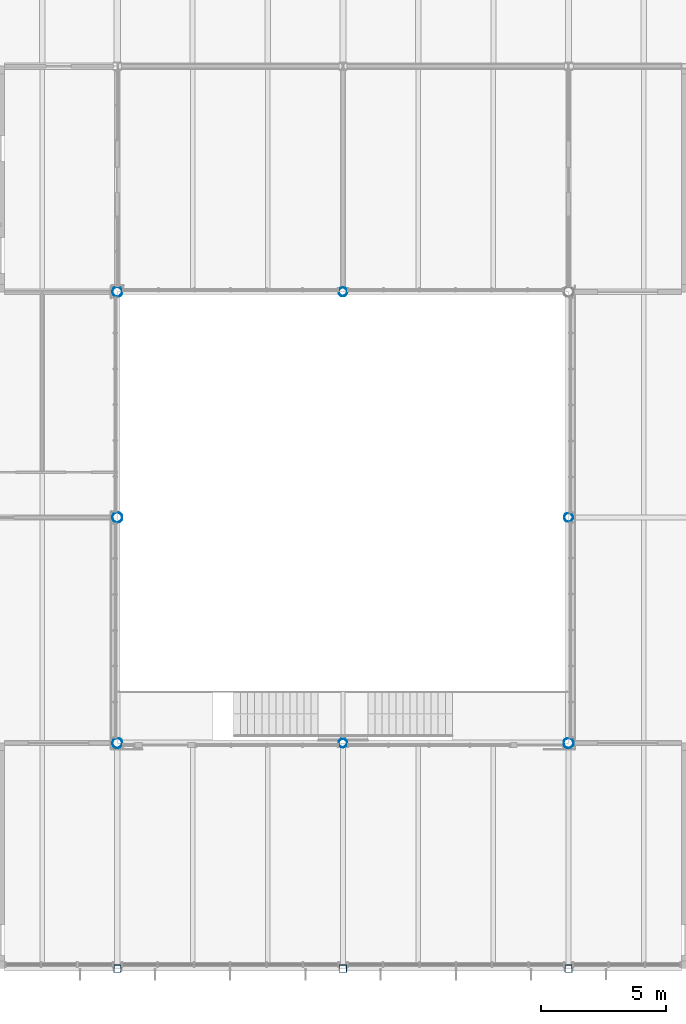
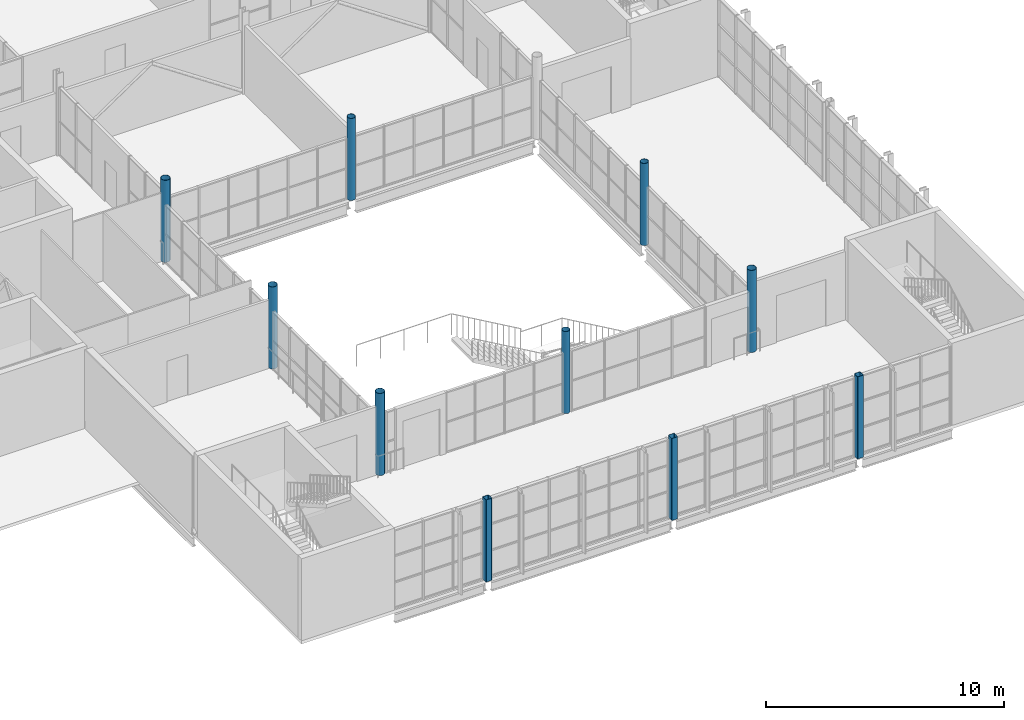
# One storey, part 4 of 57: 10 columns.
"""IFC4 building model written with IfcOpenShell, lengths in metres."""

from ifc_helpers import new_model, si_unit, direction, frame, origin, origin_2d, place, context, subcontext, project, spatial, hollow_rectangle, hollow_circle, extrude, material, material_profile, profile_set, type_object, element, save


model = new_model("IFC4")

# Units and contexts
model_context = context("Model", 3, precision=1e-05, world=origin(), true_north=direction((0.0, 1.0)))
body_context = subcontext(model_context, "Body", "Model", "MODEL_VIEW")
ifc_project = project(units=[si_unit("LENGTHUNIT", "METRE"), si_unit("AREAUNIT", "SQUARE_METRE"), si_unit("VOLUMEUNIT", "CUBIC_METRE"), si_unit("PLANEANGLEUNIT", "RADIAN"), si_unit("MASSUNIT", "GRAM", prefix="KILO")], contexts=[model_context])

# Site, building, storey
site_placement = place(None, origin())
site = spatial("IfcSite", under=ifc_project, at=site_placement, CompositionType="ELEMENT")
building_placement = place(site_placement, origin())
building = spatial("IfcBuilding", under=site, at=building_placement, Name="Halyard Row Museum", CompositionType="ELEMENT")
storey_placement = place(building_placement, frame((0.0, 0.0, 5.0)))
storey = spatial("IfcBuildingStorey", under=building, at=storey_placement, Name="L01", CompositionType="ELEMENT", Elevation=5.0)

# Columns
ifc_material_1 = material(Name="Steel Grade C350L0", Category="steel")
ifc_material_profile_1 = material_profile(ifc_material_1, hollow_rectangle(XDim=0.300048828125, YDim=0.300048828125, WallThickness=0.010009765625, InnerFilletRadius=0.014892578125, OuterFilletRadius=0.02490234375, at=origin_2d()), Name="300x300x10.0SHS")
ifc_profile_set_1 = profile_set([ifc_material_profile_1], Name="Steel Grade C350L0")
column_type_1 = type_object("IfcColumnType", Name="Column 300x300x10.0SHS edge", PredefinedType="COLUMN", material=ifc_profile_set_1)
column_placement = place(storey_placement, frame((90.0, 0.0, 0.0), z_axis=(0.0, 0.0, 1.0), x_axis=(1.0, 0.0, 0.0)))
element("IfcColumn", 1, at=column_placement, inside=storey, type_object=column_type_1, Name="Column 11A L01", PredefinedType="COLUMN", context=body_context, shape_type="SweptSolid", body=[
    extrude(hollow_rectangle(XDim=0.300048828125, YDim=0.300048828125, WallThickness=0.010009765625, InnerFilletRadius=0.014892578125, OuterFilletRadius=0.02490234375, at=origin_2d()), origin(), (0.0, 0.0, 1.0), 4.199951171875),
])
ifc_material_2 = material(Name="Steel Grade C350L0", Category="steel")
ifc_material_profile_2 = material_profile(ifc_material_2, hollow_rectangle(XDim=0.300048828125, YDim=0.300048828125, WallThickness=0.01611328125, InnerFilletRadius=0.02392578125, OuterFilletRadius=0.0400390625, at=origin_2d()), Name="300x300x16.0SHS")
ifc_profile_set_2 = profile_set([ifc_material_profile_2], Name="Steel Grade C350L0")
column_type_2 = type_object("IfcColumnType", Name="Column 300x300x16.0SHS edge", PredefinedType="COLUMN", material=ifc_profile_set_2)
for number, where, z_axis, x_axis, name in (
    (2, (81.0, 0.0, 0.0), (0.0, 0.0, 1.0), (1.0, 0.0, 0.0), "Column 10A L01"),
    (3, (99.0, 0.0, 0.0), (0.0, 0.0, 1.0), (1.0, 0.0, 0.0), "Column 12A L01"),
):
    element("IfcColumn", number, at=place(storey_placement, frame(where, z_axis=z_axis, x_axis=x_axis)), inside=storey, type_object=column_type_2, Name=name, PredefinedType="COLUMN", context=body_context, shape_type="SweptSolid", body=[
        extrude(hollow_rectangle(XDim=0.300048828125, YDim=0.300048828125, WallThickness=0.01611328125, InnerFilletRadius=0.02392578125, OuterFilletRadius=0.0400390625, at=origin_2d()), origin(), (0.0, 0.0, 1.0), 4.199951171875),
    ])
ifc_material_3 = material(Name="Steel Grade C350L0", Category="steel")
ifc_material_profile_3 = material_profile(ifc_material_3, hollow_circle(Radius=0.177734375, WallThickness=0.0126953125, at=origin_2d()), Name="355.6x12.7CHS")
ifc_profile_set_3 = profile_set([ifc_material_profile_3], Name="Steel Grade C350L0")
column_type_3 = type_object("IfcColumnType", Name="Column 355.6x12.7CHS atrium", PredefinedType="COLUMN", material=ifc_profile_set_3)
for number, where, z_axis, x_axis, name in (
    (4, (90.0, 9.0, 0.0), (0.0, 0.0, 1.0), (1.0, 0.0, 0.0), "Column 11B L01"),
    (5, (99.0, 18.0, 0.0), (0.0, 0.0, 1.0), (1.0, 0.0, 0.0), "Column 12C L01"),
    (6, (90.0, 27.0, 0.0), (0.0, 0.0, 1.0), (1.0, 0.0, 0.0), "Column 11D L01"),
):
    element("IfcColumn", number, at=place(storey_placement, frame(where, z_axis=z_axis, x_axis=x_axis)), inside=storey, type_object=column_type_3, Name=name, PredefinedType="COLUMN", context=body_context, shape_type="SweptSolid", body=[
        extrude(hollow_circle(Radius=0.177734375, WallThickness=0.0126953125, at=origin_2d()), origin(), (0.0, 0.0, 1.0), 4.199951171875),
    ])
ifc_material_4 = material(Name="Steel Grade C350L0", Category="steel")
ifc_material_profile_4 = material_profile(ifc_material_4, hollow_circle(Radius=0.203125, WallThickness=0.0126953125, at=origin_2d()), Name="406.4x12.7CHS")
ifc_profile_set_4 = profile_set([ifc_material_profile_4], Name="Steel Grade C350L0")
column_type_4 = type_object("IfcColumnType", Name="Column 406.4x12.7CHS atrium", PredefinedType="COLUMN", material=ifc_profile_set_4)
for number, where, z_axis, x_axis, name in (
    (7, (81.0, 9.0, 0.0), (0.0, 0.0, 1.0), (1.0, 0.0, 0.0), "Column 10B L01"),
    (8, (99.0, 9.0, 0.0), (0.0, 0.0, 1.0), (1.0, 0.0, 0.0), "Column 12B L01"),
    (9, (81.0, 18.0, 0.0), (0.0, 0.0, 1.0), (1.0, 0.0, 0.0), "Column 10C L01"),
    (10, (81.0, 27.0, 0.0), (0.0, 0.0, 1.0), (1.0, 0.0, 0.0), "Column 10D L01"),
):
    element("IfcColumn", number, at=place(storey_placement, frame(where, z_axis=z_axis, x_axis=x_axis)), inside=storey, type_object=column_type_4, Name=name, PredefinedType="COLUMN", context=body_context, shape_type="SweptSolid", body=[
        extrude(hollow_circle(Radius=0.203125, WallThickness=0.0126953125, at=origin_2d()), origin(), (0.0, 0.0, 1.0), 4.199951171875),
    ])

save(model, "model.ifc")
